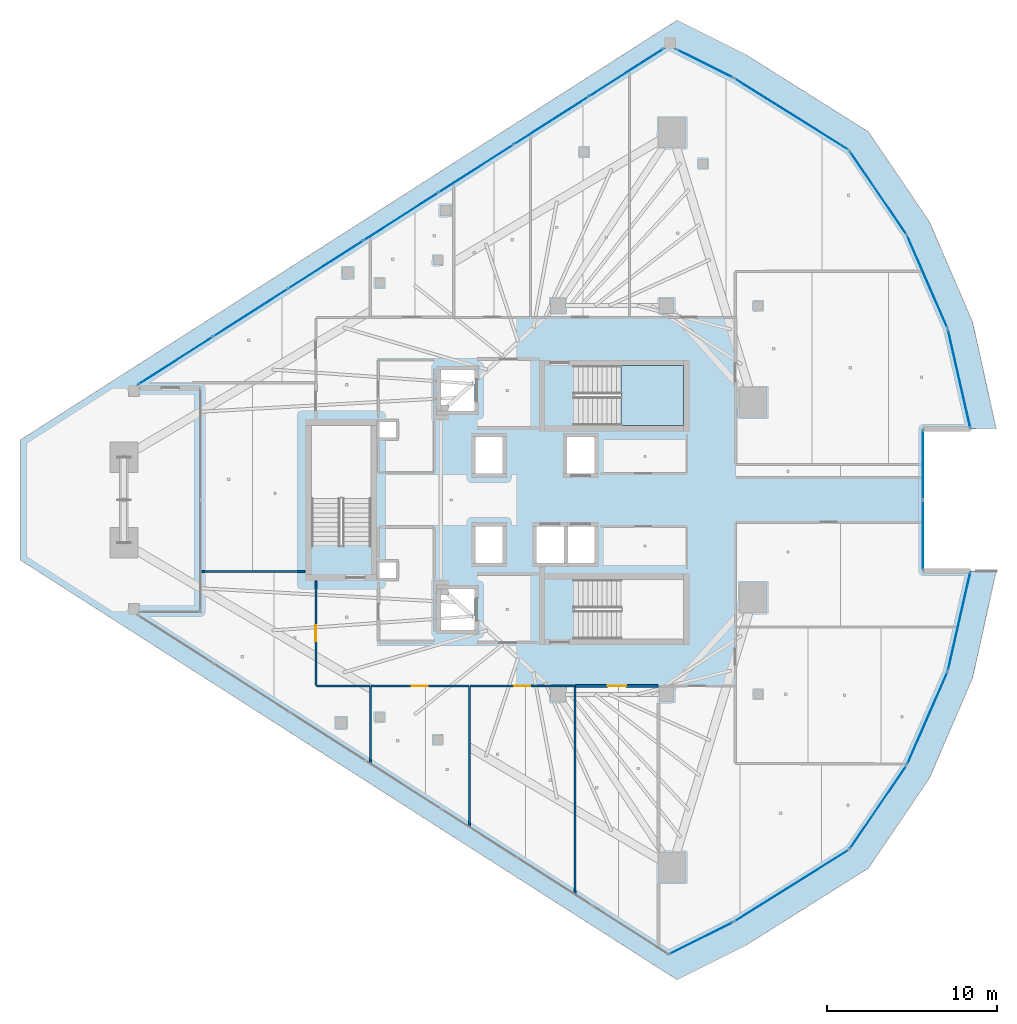
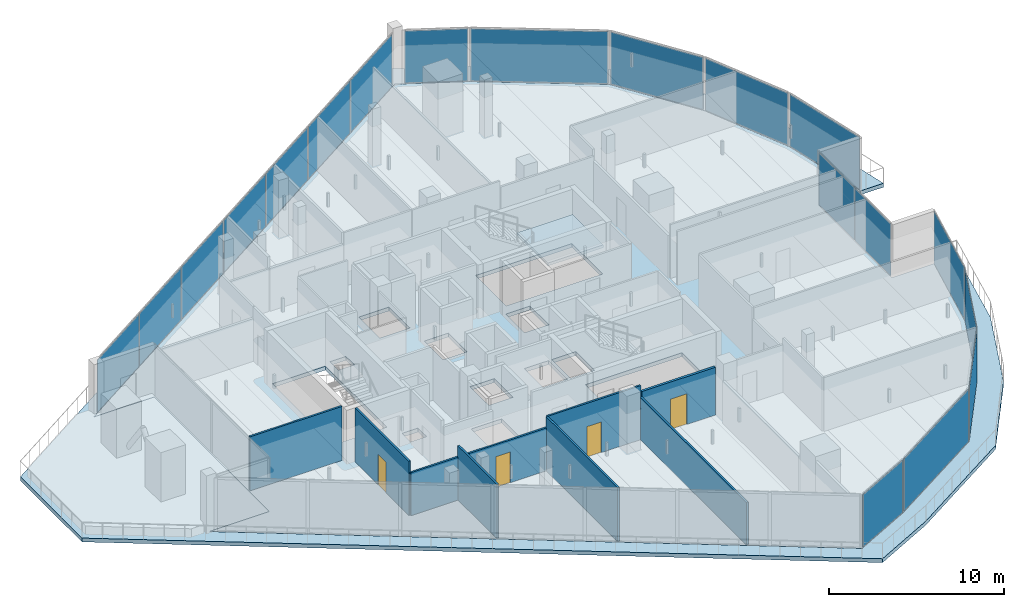
# One storey, part 25 of 36: 19 plates, 9 walls, 4 doors, 3 slabs, 4 openings, 13 elements without a shape of their own.
"""IFC4 building model written with IfcOpenShell, lengths in metres."""

from ifc_helpers import new_model, si_unit, direction, frame, frame_2d, origin, origin_2d, place, context, subcontext, project, spatial, polyline, rectangle, outline, extrude, material, layer, layer_set, type_object, element, fill, aggregate, save


model = new_model("IFC4")

# Units and contexts
model_context = context("Model", 3, precision=1e-05, world=origin(), true_north=direction((0.0, 1.0)))
body_context = subcontext(model_context, "Body", "Model", "MODEL_VIEW")
ifc_project = project(units=[si_unit("LENGTHUNIT", "METRE"), si_unit("AREAUNIT", "SQUARE_METRE"), si_unit("VOLUMEUNIT", "CUBIC_METRE"), si_unit("PLANEANGLEUNIT", "RADIAN"), si_unit("MASSUNIT", "GRAM", prefix="KILO")], contexts=[model_context])

# Site, building, storey
site_placement = place(None, origin())
site = spatial("IfcSite", under=ifc_project, at=site_placement, CompositionType="ELEMENT")
building_placement = place(site_placement, origin())
building = spatial("IfcBuilding", under=site, at=building_placement, Name="Qorvath Tower", CompositionType="ELEMENT")
storey_placement = place(building_placement, frame((0.0, 0.0, 229.35009765625)))
storey = spatial("IfcBuildingStorey", under=building, at=storey_placement, Name="L53", CompositionType="ELEMENT", Elevation=229.35009765625)

# Curtain wall, plate
ifc_material_1 = material(Name="Anodised aluminium and triple low-E glass", Category="aluminium")
ifc_layer_1 = layer(ifc_material_1, 0.179931640625)
ifc_layer_set_1 = layer_set([ifc_layer_1], Name="CW-SYS-5")
curtain_wall_type = type_object("IfcCurtainWallType", Name="CW-SYS-5", PredefinedType="NOTDEFINED", material=ifc_layer_set_1)
curtain_wall_1_placement = place(storey_placement, origin())
curtain_wall_1 = element("IfcCurtainWall", 1, at=curtain_wall_1_placement, inside=storey, type_object=curtain_wall_type, Name="Curtain Wall CW-5 CW-T-L53-5.1", PredefinedType="NOTDEFINED")
ifc_material_2 = material(Name="Low-E triple insulated glass", Category="glass")
ifc_layer_2 = layer(ifc_material_2, 0.031982421875)
ifc_layer_set_2 = layer_set([ifc_layer_2], Name="CWP-GLZ-32")
plate_type = type_object("IfcPlateType", Name="CWP-GLZ-32", PredefinedType="CURTAIN_PANEL", material=ifc_layer_set_2)
plate_1_placement = place(storey_placement, frame((-15.16259765625, -25.818603515625, 0.06494140625), z_axis=(0.0, 0.0, 1.0), x_axis=(0.894417837412, 0.447232302186, 0.0)))
plate_1 = element("IfcPlate", 2, at=plate_1_placement, type_object=plate_type, Name="CW-5 panel 1.1", PredefinedType="CURTAIN_PANEL", context=body_context, shape_type="SweptSolid", body=[
    extrude(rectangle(XDim=4.12646484375, YDim=0.031982421875, at=origin_2d()), origin(), (0.0, 0.0, 1.0), 3.64990234375),
])
aggregate(curtain_wall_1, [plate_1])

curtain_wall_2_placement = place(storey_placement, origin())
curtain_wall_2 = element("IfcCurtainWall", 3, at=curtain_wall_2_placement, inside=storey, type_object=curtain_wall_type, Name="Curtain Wall CW-5 CW-T-L53-6.1", PredefinedType="NOTDEFINED")
plate_2_placement = place(storey_placement, frame((-9.841064453125, -22.728759765625, 0.06494140625), z_axis=(0.0, 0.0, 1.0), x_axis=(0.84765657487, 0.530545314822, 0.0)))
plate_2 = element("IfcPlate", 4, at=plate_2_placement, type_object=plate_type, Name="CW-5 panel 1.1", PredefinedType="CURTAIN_PANEL", context=body_context, shape_type="SweptSolid", body=[
    extrude(rectangle(XDim=7.893310546875, YDim=0.031982421875, at=origin_2d()), origin(), (0.0, 0.0, 1.0), 3.64990234375),
])
aggregate(curtain_wall_2, [plate_2])

curtain_wall_3_placement = place(storey_placement, origin())
curtain_wall_3 = element("IfcCurtainWall", 5, at=curtain_wall_3_placement, inside=storey, type_object=curtain_wall_type, Name="Curtain Wall CW-5 CW-T-L53-7.1", PredefinedType="NOTDEFINED")
plate_3_placement = place(storey_placement, frame((-4.73388671875, -18.10205078125, 0.06494140625), z_axis=(0.0, 0.0, 1.0), x_axis=(0.56295049099, 0.826490619847, 0.0)))
plate_3 = element("IfcPlate", 6, at=plate_3_placement, type_object=plate_type, Name="CW-5 panel 1.1", PredefinedType="CURTAIN_PANEL", context=body_context, shape_type="SweptSolid", body=[
    extrude(rectangle(XDim=5.8828125, YDim=0.031982421875, at=origin_2d()), origin(), (0.0, 0.0, 1.0), 3.64990234375),
])
aggregate(curtain_wall_3, [plate_3])

curtain_wall_4_placement = place(storey_placement, origin())
curtain_wall_4 = element("IfcCurtainWall", 7, at=curtain_wall_4_placement, inside=storey, type_object=curtain_wall_type, Name="Curtain Wall CW-5 CW-T-L53-8.1", PredefinedType="NOTDEFINED")
plate_4_placement = place(storey_placement, frame((-1.831298828125, -12.843505859375, 0.06494140625), z_axis=(0.0, 0.0, 1.0), x_axis=(0.399381828243, 0.916784683156, 0.0)))
plate_4 = element("IfcPlate", 8, at=plate_4_placement, type_object=plate_type, Name="CW-5 panel 1.1", PredefinedType="CURTAIN_PANEL", context=body_context, shape_type="SweptSolid", body=[
    extrude(rectangle(XDim=5.8828125, YDim=0.031982421875, at=origin_2d()), origin(), (0.0, 0.0, 1.0), 3.64990234375),
])
aggregate(curtain_wall_4, [plate_4])

curtain_wall_5_placement = place(storey_placement, origin())
curtain_wall_5 = element("IfcCurtainWall", 9, at=curtain_wall_5_placement, inside=storey, type_object=curtain_wall_type, Name="Curtain Wall CW-5 CW-T-L53-9.1", PredefinedType="NOTDEFINED")
plate_5_placement = place(storey_placement, frame((0.04296875, -7.136962890625, 0.06494140625), z_axis=(0.0, 0.0, 1.0), x_axis=(0.221970000777, 0.97505349533, 0.0)))
plate_5 = element("IfcPlate", 10, at=plate_5_placement, type_object=plate_type, Name="CW-5 panel 1.1", PredefinedType="CURTAIN_PANEL", context=body_context, shape_type="SweptSolid", body=[
    extrude(rectangle(XDim=5.8828125, YDim=0.031982421875, at=origin_2d()), origin(), (0.0, 0.0, 1.0), 3.64990234375),
])
aggregate(curtain_wall_5, [plate_5])

# Curtain wall, plates
curtain_wall_6_placement = place(storey_placement, origin())
curtain_wall_6 = element("IfcCurtainWall", 11, at=curtain_wall_6_placement, inside=storey, type_object=curtain_wall_type, Name="Curtain Wall CW-5 CW-T-L53-11.1", PredefinedType="NOTDEFINED")
plate_6_placement = place(storey_placement, frame((-2.08447265625, -2.0791015625, 0.06494140625), z_axis=(0.0, 0.0, 1.0), x_axis=(0.0, 1.0, 0.0)))
plate_6 = element("IfcPlate", 12, at=plate_6_placement, type_object=plate_type, Name="CW-5 panel 1.1", PredefinedType="CURTAIN_PANEL", context=body_context, shape_type="SweptSolid", body=[
    extrude(rectangle(XDim=4.083251953125, YDim=0.031982421875, at=origin_2d()), origin(), (0.0, 0.0, 1.0), 3.64990234375),
])
plate_7_placement = place(storey_placement, frame((-2.08447265625, 2.0791015625, 0.06494140625), z_axis=(0.0, 0.0, 1.0), x_axis=(0.0, 1.0, 0.0)))
plate_7 = element("IfcPlate", 13, at=plate_7_placement, type_object=plate_type, Name="CW-5 panel 2.1", PredefinedType="CURTAIN_PANEL", context=body_context, shape_type="SweptSolid", body=[
    extrude(rectangle(XDim=4.083251953125, YDim=0.031982421875, at=origin_2d()), origin(), (0.0, 0.0, 1.0), 3.64990234375),
])
aggregate(curtain_wall_6, [plate_6, plate_7])

# Curtain wall, plate
curtain_wall_7_placement = place(storey_placement, origin())
curtain_wall_7 = element("IfcCurtainWall", 14, at=curtain_wall_7_placement, inside=storey, type_object=curtain_wall_type, Name="Curtain Wall CW-5 CW-T-L53-13.1", PredefinedType="NOTDEFINED")
plate_8_placement = place(storey_placement, frame((0.04296875, 7.136962890625, 0.06494140625), z_axis=(0.0, 0.0, 1.0), x_axis=(-0.221970000777, 0.97505349533, 0.0)))
plate_8 = element("IfcPlate", 15, at=plate_8_placement, type_object=plate_type, Name="CW-5 panel 1.1", PredefinedType="CURTAIN_PANEL", context=body_context, shape_type="SweptSolid", body=[
    extrude(rectangle(XDim=5.8828125, YDim=0.031982421875, at=origin_2d()), origin(), (0.0, 0.0, 1.0), 3.64990234375),
])
aggregate(curtain_wall_7, [plate_8])

curtain_wall_8_placement = place(storey_placement, origin())
curtain_wall_8 = element("IfcCurtainWall", 16, at=curtain_wall_8_placement, inside=storey, type_object=curtain_wall_type, Name="Curtain Wall CW-5 CW-T-L53-14.1", PredefinedType="NOTDEFINED")
plate_9_placement = place(storey_placement, frame((-1.831298828125, 12.843505859375, 0.06494140625), z_axis=(0.0, 0.0, 1.0), x_axis=(-0.399381828243, 0.916784683156, 0.0)))
plate_9 = element("IfcPlate", 17, at=plate_9_placement, type_object=plate_type, Name="CW-5 panel 1.1", PredefinedType="CURTAIN_PANEL", context=body_context, shape_type="SweptSolid", body=[
    extrude(rectangle(XDim=5.8828125, YDim=0.031982421875, at=origin_2d()), origin(), (0.0, 0.0, 1.0), 3.64990234375),
])
aggregate(curtain_wall_8, [plate_9])

curtain_wall_9_placement = place(storey_placement, origin())
curtain_wall_9 = element("IfcCurtainWall", 18, at=curtain_wall_9_placement, inside=storey, type_object=curtain_wall_type, Name="Curtain Wall CW-5 CW-T-L53-15.1", PredefinedType="NOTDEFINED")
plate_10_placement = place(storey_placement, frame((-4.73388671875, 18.10205078125, 0.06494140625), z_axis=(0.0, 0.0, 1.0), x_axis=(-0.56295049099, 0.826490619847, 0.0)))
plate_10 = element("IfcPlate", 19, at=plate_10_placement, type_object=plate_type, Name="CW-5 panel 1.1", PredefinedType="CURTAIN_PANEL", context=body_context, shape_type="SweptSolid", body=[
    extrude(rectangle(XDim=5.8828125, YDim=0.031982421875, at=origin_2d()), origin(), (0.0, 0.0, 1.0), 3.64990234375),
])
aggregate(curtain_wall_9, [plate_10])

curtain_wall_10_placement = place(storey_placement, origin())
curtain_wall_10 = element("IfcCurtainWall", 20, at=curtain_wall_10_placement, inside=storey, type_object=curtain_wall_type, Name="Curtain Wall CW-5 CW-T-L53-16.1", PredefinedType="NOTDEFINED")
plate_11_placement = place(storey_placement, frame((-9.841064453125, 22.728759765625, 0.06494140625), z_axis=(0.0, 0.0, 1.0), x_axis=(-0.84765657487, 0.530545314822, 0.0)))
plate_11 = element("IfcPlate", 21, at=plate_11_placement, type_object=plate_type, Name="CW-5 panel 1.1", PredefinedType="CURTAIN_PANEL", context=body_context, shape_type="SweptSolid", body=[
    extrude(rectangle(XDim=7.893310546875, YDim=0.031982421875, at=origin_2d()), origin(), (0.0, 0.0, 1.0), 3.64990234375),
])
aggregate(curtain_wall_10, [plate_11])

curtain_wall_11_placement = place(storey_placement, origin())
curtain_wall_11 = element("IfcCurtainWall", 22, at=curtain_wall_11_placement, inside=storey, type_object=curtain_wall_type, Name="Curtain Wall CW-5 CW-T-L53-17.1", PredefinedType="NOTDEFINED")
plate_12_placement = place(storey_placement, frame((-14.94677734375, 25.710693359375, 0.06494140625), z_axis=(0.0, 0.0, 1.0), x_axis=(-0.894427191001, 0.447213595499, 0.0)))
plate_12 = element("IfcPlate", 23, at=plate_12_placement, type_object=plate_type, Name="CW-5 panel 1.1", PredefinedType="CURTAIN_PANEL", context=body_context, shape_type="SweptSolid", body=[
    extrude(rectangle(XDim=3.64404296875, YDim=0.031982421875, at=origin_2d()), origin(), (0.0, 0.0, 1.0), 3.64990234375),
])
aggregate(curtain_wall_11, [plate_12])

# Curtain wall, plates
curtain_wall_12_placement = place(storey_placement, origin())
curtain_wall_12 = element("IfcCurtainWall", 24, at=curtain_wall_12_placement, inside=storey, type_object=curtain_wall_type, Name="Curtain Wall CW-5 CW-T-L53-18.1", PredefinedType="NOTDEFINED")
plate_13_placement = place(storey_placement, frame((-19.580322265625, 25.173828125, 0.06494140625), z_axis=(0.0, 0.0, 1.0), x_axis=(-0.842605634803, -0.538531098636, 0.0)))
plate_13 = element("IfcPlate", 25, at=plate_13_placement, type_object=plate_type, Name="CW-5 panel 1.1", PredefinedType="CURTAIN_PANEL", context=body_context, shape_type="SweptSolid", body=[
    extrude(rectangle(XDim=5.140869140625, YDim=0.031982421875, at=origin_2d()), origin(), (0.0, 0.0, 1.0), 3.64990234375),
])
plate_14_placement = place(storey_placement, frame((-23.990966796875, 22.354736328125, 0.06494140625), z_axis=(0.0, 0.0, 1.0), x_axis=(-0.842605634803, -0.538531098636, 0.0)))
plate_14 = element("IfcPlate", 26, at=plate_14_placement, type_object=plate_type, Name="CW-5 panel 2.1", PredefinedType="CURTAIN_PANEL", context=body_context, shape_type="SweptSolid", body=[
    extrude(rectangle(XDim=5.178466796875, YDim=0.031982421875, at=origin_2d()), origin(), (0.0, 0.0, 1.0), 3.64990234375),
])
plate_15_placement = place(storey_placement, frame((-28.41748046875, 19.525634765625, 0.06494140625), z_axis=(0.0, 0.0, 1.0), x_axis=(-0.842605634803, -0.538531098636, 0.0)))
plate_15 = element("IfcPlate", 27, at=plate_15_placement, type_object=plate_type, Name="CW-5 panel 3.1", PredefinedType="CURTAIN_PANEL", context=body_context, shape_type="SweptSolid", body=[
    extrude(rectangle(XDim=5.178466796875, YDim=0.031982421875, at=origin_2d()), origin(), (0.0, 0.0, 1.0), 3.64990234375),
])
plate_16_placement = place(storey_placement, frame((-32.843994140625, 16.696533203125, 0.06494140625), z_axis=(0.0, 0.0, 1.0), x_axis=(-0.842605634803, -0.538531098636, 0.0)))
plate_16 = element("IfcPlate", 28, at=plate_16_placement, type_object=plate_type, Name="CW-5 panel 4.1", PredefinedType="CURTAIN_PANEL", context=body_context, shape_type="SweptSolid", body=[
    extrude(rectangle(XDim=5.178466796875, YDim=0.031982421875, at=origin_2d()), origin(), (0.0, 0.0, 1.0), 3.64990234375),
])
plate_17_placement = place(storey_placement, frame((-37.2705078125, 13.867431640625, 0.06494140625), z_axis=(0.0, 0.0, 1.0), x_axis=(-0.842605634803, -0.538531098636, 0.0)))
plate_17 = element("IfcPlate", 29, at=plate_17_placement, type_object=plate_type, Name="CW-5 panel 5.1", PredefinedType="CURTAIN_PANEL", context=body_context, shape_type="SweptSolid", body=[
    extrude(rectangle(XDim=5.178466796875, YDim=0.031982421875, at=origin_2d()), origin(), (0.0, 0.0, 1.0), 3.64990234375),
])
plate_18_placement = place(storey_placement, frame((-41.697021484375, 11.038330078125, 0.06494140625), z_axis=(0.0, 0.0, 1.0), x_axis=(-0.842605634803, -0.538531098636, 0.0)))
plate_18 = element("IfcPlate", 30, at=plate_18_placement, type_object=plate_type, Name="CW-5 panel 6.1", PredefinedType="CURTAIN_PANEL", context=body_context, shape_type="SweptSolid", body=[
    extrude(rectangle(XDim=5.178466796875, YDim=0.031982421875, at=origin_2d()), origin(), (0.0, 0.0, 1.0), 3.64990234375),
])
plate_19_placement = place(storey_placement, frame((-46.10791015625, 8.21923828125, 0.06494140625), z_axis=(0.0, 0.0, 1.0), x_axis=(-0.842605634803, -0.538531098636, 0.0)))
plate_19 = element("IfcPlate", 31, at=plate_19_placement, type_object=plate_type, Name="CW-5 panel 7.1", PredefinedType="CURTAIN_PANEL", context=body_context, shape_type="SweptSolid", body=[
    extrude(rectangle(XDim=5.140869140625, YDim=0.031982421875, at=origin_2d()), origin(), (0.0, 0.0, 1.0), 3.64990234375),
])
aggregate(curtain_wall_12, [plate_13, plate_14, plate_15, plate_16, plate_17, plate_18, plate_19])

# Stair, slab
ifc_material_3 = material(Name="Concrete C50/60", Category="concrete")
stair_type = type_object("IfcStairType", Name="ST-H405", PredefinedType="HALF_TURN_STAIR", material=ifc_material_3)
stair_placement = place(storey_placement, origin())
stair = element("IfcStair", 32, at=stair_placement, inside=storey, type_object=stair_type, Name="L53 Tower Exit Stair 1", PredefinedType="HALF_TURN_STAIR")
ifc_material_4 = material(Name="Concrete C50/60", Category="concrete")
ifc_layer_3 = layer(ifc_material_4, 0.199951171875)
ifc_layer_set_3 = layer_set([ifc_layer_3], Name="SL-LND-200")
slab_type_1 = type_object("IfcSlabType", Name="SL-LND-200", PredefinedType="LANDING", material=ifc_layer_set_3)
slab_1_placement = place(storey_placement, frame((0.0, 0.0, 1.824951171875)))
slab_1 = element("IfcSlab", 33, at=slab_1_placement, type_object=slab_type_1, Name="TS1 landing 1", PredefinedType="LANDING", context=body_context, shape_type="SweptSolid", body=[
    extrude(outline(polyline([(-19.8701171875, 4.39990234375), (-16.199951171875, 4.39990234375), (-16.199951171875, 7.909912109375), (-19.8701171875, 7.909912109375), (-19.8701171875, 4.39990234375)])), origin(), (0.0, 0.0, 1.0), 0.199951171875),
])
aggregate(stair, [slab_1])

# Slabs
ifc_material_5 = material(Name="Precast concrete C45/55", Category="concrete")
ifc_layer_4 = layer(ifc_material_5, 0.27001953125)
ifc_layer_set_4 = layer_set([ifc_layer_4], Name="SL-LOG-270")
slab_type_2 = type_object("IfcSlabType", Name="SL-LOG-270", PredefinedType="FLOOR", material=ifc_layer_set_4)
slab_2_placement = place(storey_placement, frame((0.0, 0.0, -0.27001953125)))
element("IfcSlab", 34, at=slab_2_placement, inside=storey, type_object=slab_type_2, Name="Tower L53 Perimeter Loggia and Terrace Slab", PredefinedType="FLOOR", context=body_context, shape_type="SweptSolid", body=[
    extrude(outline(polyline([(0.712646484375, -4.19580078125), (-0.62646484375, -10.078125), (-3.035888671875, -15.60888671875), (-6.43212890625, -20.594970703125), (-13.25, -24.8623046875), (-17.074951171875, -26.77490234375), (-48.63427734375, -6.6044921875), (-44.64794921875, -6.6044921875), (-44.64794921875, 6.6044921875), (-48.63427734375, 6.6044921875), (-17.074951171875, 26.77490234375), (-13.25, 24.8623046875), (-6.43212890625, 20.594970703125), (-3.035888671875, 15.60888671875), (-0.62646484375, 10.078125), (0.712646484375, 4.19580078125), (2.22119140625, 4.19580078125), (0.832763671875, 10.468994140625), (-1.708251953125, 16.370361328125), (-5.3115234375, 21.68994140625), (-12.544189453125, 26.23876953125), (-16.580810546875, 28.257080078125), (-55.266357421875, 3.5322265625), (-55.266357421875, -3.5322265625), (-16.580810546875, -28.257080078125), (-12.544189453125, -26.23876953125), (-5.3115234375, -21.68994140625), (-1.708251953125, -16.370361328125), (0.832763671875, -10.468994140625), (2.22119140625, -4.19580078125), (0.712646484375, -4.19580078125)])), origin(), (0.0, 0.0, 1.0), 0.27001953125),
])
ifc_material_6 = material(Name="Concrete C45/55", Category="concrete")
ifc_layer_5 = layer(ifc_material_6, 0.27001953125)
ifc_layer_set_5 = layer_set([ifc_layer_5], Name="SL-MID-270")
slab_type_3 = type_object("IfcSlabType", Name="SL-MID-270", PredefinedType="FLOOR", material=ifc_layer_set_5)
slab_3_placement = place(storey_placement, frame((0.0, 0.0, -0.27001953125)))
element("IfcSlab", 35, at=slab_3_placement, inside=storey, type_object=slab_type_3, Name="Tower L53 Interior Floor Slab", PredefinedType="FLOOR", context=body_context, shape_type="SweptSolid", body=[
    extrude(outline(polyline([(-17.074951171875, 26.77490234375), (-48.63427734375, 6.6044921875), (-44.64794921875, 6.6044921875), (-44.64794921875, -6.6044921875), (-48.63427734375, -6.6044921875), (-17.074951171875, -26.77490234375), (-13.25, -24.8623046875), (-6.43212890625, -20.594970703125), (-3.035888671875, -15.60888671875), (-0.62646484375, -10.078125), (0.712646484375, -4.19580078125), (-2.08447265625, -4.19580078125), (-2.08447265625, 4.19580078125), (0.712646484375, 4.19580078125), (-0.62646484375, 10.078125), (-3.035888671875, 15.60888671875), (-6.43212890625, 20.594970703125), (-13.25, 24.8623046875), (-17.074951171875, 26.77490234375)]), holes=[polyline([(-16.2451171875, -8.199951171875), (-22.625, -8.199951171875), (-22.625, -4.68994140625), (-16.2451171875, -4.68994140625), (-16.2451171875, -8.199951171875)]), polyline([(-22.625, 4.39990234375), (-22.625, 7.909912109375), (-16.2451171875, 7.909912109375), (-16.2451171875, 4.39990234375), (-22.625, 4.39990234375)]), polyline([(-21.449951171875, -3.699951171875), (-23.050048828125, -3.699951171875), (-23.050048828125, -1.550048828125), (-21.449951171875, -1.550048828125), (-21.449951171875, -3.699951171875)]), polyline([(-23.050048828125, 1.550048828125), (-23.050048828125, 3.699951171875), (-21.449951171875, 3.699951171875), (-21.449951171875, 1.550048828125), (-23.050048828125, 1.550048828125)]), polyline([(-24.85009765625, -3.699951171875), (-24.85009765625, -1.550048828125), (-23.25, -1.550048828125), (-23.25, -3.699951171875), (-24.85009765625, -3.699951171875)]), polyline([(-28.449951171875, -3.699951171875), (-28.449951171875, -1.550048828125), (-26.85009765625, -1.550048828125), (-26.85009765625, -3.699951171875), (-28.449951171875, -3.699951171875)]), polyline([(-26.85009765625, 1.550048828125), (-28.449951171875, 1.550048828125), (-28.449951171875, 3.699951171875), (-26.85009765625, 3.699951171875), (-26.85009765625, 1.550048828125)]), polyline([(-28.5, -7.64990234375), (-30.5, -7.64990234375), (-30.5, -5.25), (-28.5, -5.25), (-28.5, -7.64990234375)]), polyline([(-30.5, 5.25), (-30.5, 7.64990234375), (-28.5, 7.64990234375), (-28.5, 5.25), (-30.5, 5.25)]), polyline([(-34.14990234375, -4.6201171875), (-34.14990234375, -3.64990234375), (-33.10009765625, -3.64990234375), (-33.10009765625, -4.6201171875), (-34.14990234375, -4.6201171875)]), polyline([(-34.14990234375, 3.64990234375), (-34.14990234375, 4.6201171875), (-33.10009765625, 4.6201171875), (-33.10009765625, 3.64990234375), (-34.14990234375, 3.64990234375)]), polyline([(-34.60009765625, -2.675048828125), (-38.110107421875, -2.675048828125), (-38.110107421875, 4.35498046875), (-34.60009765625, 4.35498046875), (-34.60009765625, -2.675048828125)])]), origin(), (0.0, 0.0, 1.0), 0.27001953125),
])

# Wall, opening, door
ifc_material_7 = material(Name="Double acoustic gypsum board on steel studs", Category="steel")
ifc_layer_6 = layer(ifc_material_7, 0.159912109375)
ifc_layer_set_6 = layer_set([ifc_layer_6], Name="IW-ACOUSTIC-160")
wall_type_1 = type_object("IfcWallType", Name="IW-ACOUSTIC-160", PredefinedType="PARTITIONING", material=ifc_layer_set_6)
wall_1_placement = place(storey_placement, frame((-17.700927734375, -10.9580078125, 0.0), z_axis=(0.0, 0.0, 1.0), x_axis=(-1.0, 0.0, 0.0)))
wall_1 = element("IfcWall", 36, at=wall_1_placement, inside=storey, type_object=wall_type_1, Name="Interior Partition IW-T1-L53-038", PredefinedType="PARTITIONING", context=body_context, shape_type="SweptSolid", body=[
    extrude(rectangle(XDim=4.853271484375, YDim=0.159912109375, at=frame_2d((2.4267578125, 0.0))), origin(), (0.0, 0.0, 1.0), 3.343994140625),
])
opening_1_placement = place(wall_1_placement, frame((1.876708984375, 0.0, 0.0)))
opening_1 = element("IfcOpeningElement", 37, at=opening_1_placement, cuts=wall_1, Name="Opening D-T1-L53-11", PredefinedType="OPENING", context=body_context, shape_type="SweptSolid", body=[
    extrude(rectangle(XDim=1.10009765625, YDim=2.14990234375, at=frame_2d((0.550048828125, 1.074951171875))), frame((0.0, 0.08984375, 0.0), z_axis=(0.0, -1.0, 0.0), x_axis=(1.0, 0.0, 0.0)), (0.0, 0.0, 1.0), 0.179931640625),
])
ifc_material_8 = material(Name="Anodised aluminium acoustic framed glass", Category="aluminium")
door_type_1 = type_object("IfcDoorType", Name="D-03", OperationType="NOTDEFINED", PredefinedType="DOOR", material=ifc_material_8)
door_1_placement = place(opening_1_placement, origin())
door_1 = element("IfcDoor", 38, at=door_1_placement, inside=storey, type_object=door_type_1, Name="L53-07 Digital Visualization Suite Door D-T1-L53-11", OperationType="SINGLE_SWING_RIGHT", OverallHeight=2.14990234375, OverallWidth=1.10009765625, PredefinedType="DOOR", context=body_context, shape_type="SweptSolid", body=[
    extrude(rectangle(XDim=1.10009765625, YDim=2.14990234375, at=frame_2d((0.550048828125, 1.074951171875))), frame((0.0, 0.02490234375, 0.0), z_axis=(0.0, -1.0, 0.0), x_axis=(1.0, 0.0, 0.0)), (0.0, 0.0, 1.0), 0.050048828125),
])
fill(opening_1, door_1)

ifc_material_9 = material(Name="Gypsum board on metal studs with mineral wool", Category="gypsum")
ifc_layer_7 = layer(ifc_material_9, 0.125)
ifc_layer_set_7 = layer_set([ifc_layer_7], Name="IW-PART-125")
wall_type_2 = type_object("IfcWallType", Name="IW-PART-125", PredefinedType="PARTITIONING", material=ifc_layer_set_7)
wall_2_placement = place(storey_placement, frame((-28.8359375, -10.9580078125, 0.0), z_axis=(0.0, 0.0, 1.0), x_axis=(-1.0, 0.0, 0.0)))
wall_2 = element("IfcWall", 39, at=wall_2_placement, inside=storey, type_object=wall_type_2, Name="Interior Partition IW-T1-L53-031", PredefinedType="PARTITIONING", context=body_context, shape_type="SweptSolid", body=[
    extrude(rectangle(XDim=5.7890625, YDim=0.125, at=frame_2d((2.89453125, 0.0))), origin(), (0.0, 0.0, 1.0), 2.999755859375),
])
opening_2_placement = place(wall_2_placement, frame((2.41943359375, 0.0, 0.0)))
opening_2 = element("IfcOpeningElement", 40, at=opening_2_placement, cuts=wall_2, Name="Opening D-T1-L53-09", PredefinedType="OPENING", context=body_context, shape_type="SweptSolid", body=[
    extrude(rectangle(XDim=0.949951171875, YDim=2.14990234375, at=frame_2d((0.47509765625, 1.074951171875))), frame((0.0, 0.072509765625, 0.0), z_axis=(0.0, -1.0, 0.0), x_axis=(1.0, 0.0, 0.0)), (0.0, 0.0, 1.0), 0.14501953125),
])
ifc_material_10 = material(Name="Solid-core American white oak veneer", Category="wood")
door_type_2 = type_object("IfcDoorType", Name="D-01", OperationType="NOTDEFINED", PredefinedType="DOOR", material=ifc_material_10)
door_2_placement = place(opening_2_placement, origin())
door_2 = element("IfcDoor", 41, at=door_2_placement, inside=storey, type_object=door_type_2, Name="L53-05 Executive Partner Office Door D-T1-L53-09", OperationType="SINGLE_SWING_RIGHT", OverallHeight=2.14990234375, OverallWidth=0.949951171875, PredefinedType="DOOR", context=body_context, shape_type="SweptSolid", body=[
    extrude(rectangle(XDim=0.949951171875, YDim=2.14990234375, at=frame_2d((0.47509765625, 1.074951171875))), frame((0.0, 0.02490234375, 0.0), z_axis=(0.0, -1.0, 0.0), x_axis=(1.0, 0.0, 0.0)), (0.0, 0.0, 1.0), 0.050048828125),
])
fill(opening_2, door_2)

# Walls
wall_3_placement = place(storey_placement, frame((-34.64990234375, -10.98291015625, 0.0), z_axis=(0.0, 0.0, 1.0), x_axis=(0.0, -1.0, 0.0)))
element("IfcWall", 42, at=wall_3_placement, inside=storey, type_object=wall_type_2, Name="Interior Partition IW-T1-L53-032", PredefinedType="PARTITIONING", context=body_context, shape_type="SweptSolid", body=[
    extrude(rectangle(XDim=4.479248046875, YDim=0.125, at=frame_2d((2.23974609375, 0.0))), origin(), (0.0, 0.0, 1.0), 3.77978515625),
])
wall_4_placement = place(storey_placement, frame((-28.81103515625, -19.194091796875, 0.0), z_axis=(0.0, 0.0, 1.0), x_axis=(0.0, 1.0, 0.0)))
element("IfcWall", 43, at=wall_4_placement, inside=storey, type_object=wall_type_2, Name="Interior Partition IW-T1-L53-033", PredefinedType="PARTITIONING", context=body_context, shape_type="SweptSolid", body=[
    extrude(rectangle(XDim=8.211181640625, YDim=0.125, at=frame_2d((4.10546875, 0.0))), origin(), (0.0, 0.0, 1.0), 3.77978515625),
])

# Wall, opening, door
wall_5_placement = place(storey_placement, frame((-22.6123046875, -10.9580078125, 0.0), z_axis=(0.0, 0.0, 1.0), x_axis=(-1.0, 0.0, 0.0)))
wall_5 = element("IfcWall", 44, at=wall_5_placement, inside=storey, type_object=wall_type_2, Name="Interior Partition IW-T1-L53-034", PredefinedType="PARTITIONING", context=body_context, shape_type="SweptSolid", body=[
    extrude(rectangle(XDim=6.166015625, YDim=0.125, at=frame_2d((3.0830078125, 0.0))), origin(), (0.0, 0.0, 1.0), 3.77978515625),
])
opening_3_placement = place(wall_5_placement, frame((2.60791015625, 0.0, 0.0)))
opening_3 = element("IfcOpeningElement", 45, at=opening_3_placement, cuts=wall_5, Name="Opening D-T1-L53-10", PredefinedType="OPENING", context=body_context, shape_type="SweptSolid", body=[
    extrude(rectangle(XDim=0.949951171875, YDim=2.14990234375, at=frame_2d((0.47509765625, 1.074951171875))), frame((0.0, 0.072509765625, 0.0), z_axis=(0.0, -1.0, 0.0), x_axis=(1.0, 0.0, 0.0)), (0.0, 0.0, 1.0), 0.14501953125),
])
door_3_placement = place(opening_3_placement, origin())
door_3 = element("IfcDoor", 46, at=door_3_placement, inside=storey, type_object=door_type_2, Name="L53-06 Breakout Reading Alcove Door D-T1-L53-10", OperationType="SINGLE_SWING_LEFT", OverallHeight=2.14990234375, OverallWidth=0.949951171875, PredefinedType="DOOR", context=body_context, shape_type="SweptSolid", body=[
    extrude(rectangle(XDim=0.949951171875, YDim=2.14990234375, at=frame_2d((0.47509765625, 1.074951171875))), frame((0.0, 0.02490234375, 0.0), z_axis=(0.0, -1.0, 0.0), x_axis=(1.0, 0.0, 0.0)), (0.0, 0.0, 1.0), 0.050048828125),
])
fill(opening_3, door_3)

# Walls
wall_6_placement = place(storey_placement, frame((-22.587158203125, -23.171875, 0.0), z_axis=(0.0, 0.0, 1.0), x_axis=(0.0, 1.0, 0.0)))
element("IfcWall", 47, at=wall_6_placement, inside=storey, type_object=wall_type_2, Name="Interior Partition IW-T1-L53-035", PredefinedType="PARTITIONING", context=body_context, shape_type="SweptSolid", body=[
    extrude(rectangle(XDim=12.18896484375, YDim=0.125, at=frame_2d((6.094482421875, 0.0))), origin(), (0.0, 0.0, 1.0), 2.976806640625),
])
wall_7_placement = place(storey_placement, frame((-37.8330078125, -10.9580078125, 0.0), z_axis=(0.0, 0.0, 1.0), x_axis=(1.0, 0.0, 0.0)))
element("IfcWall", 48, at=wall_7_placement, inside=storey, type_object=wall_type_2, Name="Interior Partition IW-T1-L53-049", PredefinedType="PARTITIONING", context=body_context, shape_type="SweptSolid", body=[
    extrude(rectangle(XDim=3.14990234375, YDim=0.125, at=frame_2d((1.574951171875, 0.0))), origin(), (0.0, 0.0, 1.0), 2.999755859375),
])

# Wall, opening, door
wall_8_placement = place(storey_placement, frame((-37.85791015625, -10.93310546875, 0.0), z_axis=(0.0, 0.0, 1.0), x_axis=(0.0, 1.0, 0.0)))
wall_8 = element("IfcWall", 49, at=wall_8_placement, inside=storey, type_object=wall_type_2, Name="Interior Partition IW-T1-L53-050", PredefinedType="PARTITIONING", context=body_context, shape_type="SweptSolid", body=[
    extrude(rectangle(XDim=6.14990234375, YDim=0.125, at=frame_2d((3.074951171875, 0.0))), origin(), (0.0, 0.0, 1.0), 3.77978515625),
])
opening_4_placement = place(wall_8_placement, frame((2.599853515625, 0.0, 0.0)))
opening_4 = element("IfcOpeningElement", 50, at=opening_4_placement, cuts=wall_8, Name="Opening D-T1-L53-16", PredefinedType="OPENING", context=body_context, shape_type="SweptSolid", body=[
    extrude(rectangle(XDim=0.949951171875, YDim=2.14990234375, at=frame_2d((0.47509765625, 1.074951171875))), frame((0.0, 0.072509765625, 0.0), z_axis=(0.0, -1.0, 0.0), x_axis=(1.0, 0.0, 0.0)), (0.0, 0.0, 1.0), 0.14501953125),
])
door_4_placement = place(opening_4_placement, origin())
door_4 = element("IfcDoor", 51, at=door_4_placement, inside=storey, type_object=door_type_2, Name="L53-12 Staff Refreshment Pantry and Coffee Bar Door D-T1-L53-16", OperationType="SINGLE_SWING_LEFT", OverallHeight=2.14990234375, OverallWidth=0.949951171875, PredefinedType="DOOR", context=body_context, shape_type="SweptSolid", body=[
    extrude(rectangle(XDim=0.949951171875, YDim=2.14990234375, at=frame_2d((0.47509765625, 1.074951171875))), frame((0.0, 0.02490234375, 0.0), z_axis=(0.0, -1.0, 0.0), x_axis=(1.0, 0.0, 0.0)), (0.0, 0.0, 1.0), 0.050048828125),
])
fill(opening_4, door_4)

# Wall
wall_9_placement = place(storey_placement, frame((-38.492919921875, -4.204833984375, 0.0), z_axis=(0.0, 0.0, 1.0), x_axis=(-1.0, 0.0, 0.0)))
element("IfcWall", 52, at=wall_9_placement, inside=storey, type_object=wall_type_2, Name="Interior Partition IW-T1-L53-051", PredefinedType="PARTITIONING", context=body_context, shape_type="SweptSolid", body=[
    extrude(rectangle(XDim=6.0751953125, YDim=0.125, at=frame_2d((3.03759765625, 0.0))), origin(), (0.0, 0.0, 1.0), 3.77978515625),
])

save(model, "model.ifc")
